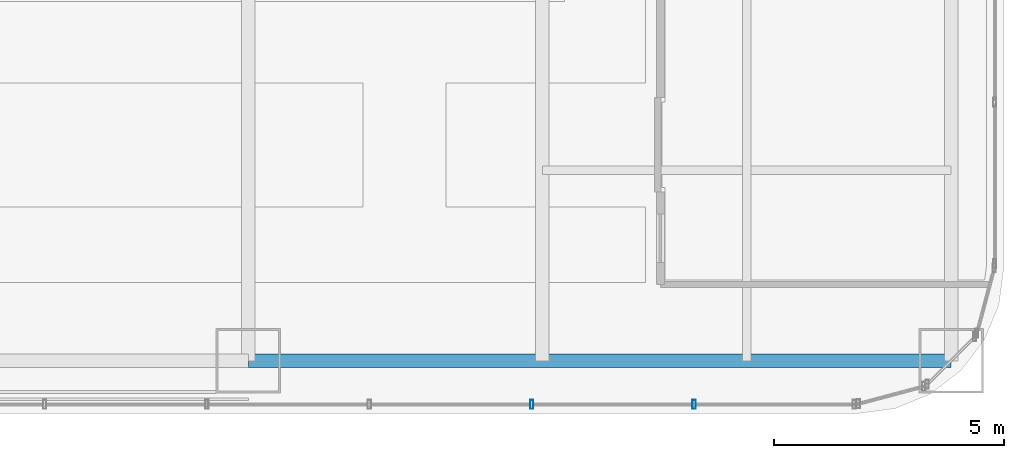
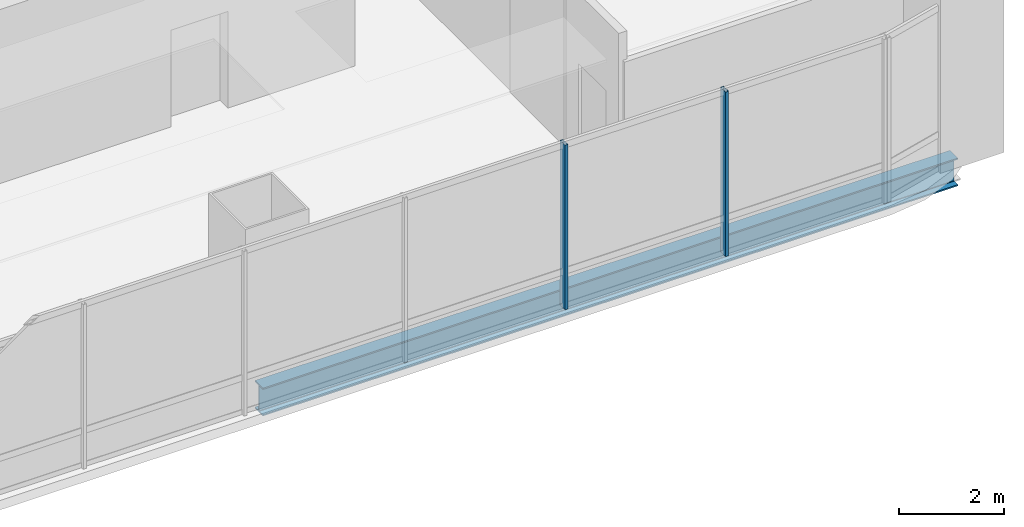
# One storey, part 14 of 38: 2 members, 1 beam, 1 element without a shape of its own.
"""IFC4 building model written with IfcOpenShell, lengths in metres."""

from ifc_helpers import new_model, si_unit, direction, frame, origin, origin_2d, place, context, subcontext, project, spatial, hollow_rectangle, i_section, extrude, material, material_profile, profile_set, type_object, element, aggregate, save


model = new_model("IFC4")

# Units and contexts
model_context = context("Model", 3, precision=1e-05, world=origin(), true_north=direction((0.0, 1.0)))
body_context = subcontext(model_context, "Body", "Model", "MODEL_VIEW")
ifc_project = project(units=[si_unit("LENGTHUNIT", "METRE"), si_unit("AREAUNIT", "SQUARE_METRE"), si_unit("VOLUMEUNIT", "CUBIC_METRE"), si_unit("PLANEANGLEUNIT", "RADIAN"), si_unit("MASSUNIT", "GRAM", prefix="KILO")], contexts=[model_context])

# Site, building, storey
site_placement = place(None, origin())
site = spatial("IfcSite", under=ifc_project, at=site_placement, CompositionType="ELEMENT")
building_placement = place(site_placement, origin())
building = spatial("IfcBuilding", under=site, at=building_placement, Name="Punatoya Terracotta Tower", CompositionType="ELEMENT")
storey_placement = place(building_placement, frame((0.0, 0.0, 143.85009765625)))
storey = spatial("IfcBuildingStorey", under=building, at=storey_placement, Name="L33", CompositionType="ELEMENT", Elevation=143.85009765625)

# Beam
ifc_material_1 = material(Name="Steel S355", Category="steel")
ifc_material_profile_1 = material_profile(ifc_material_1, i_section(OverallWidth=0.300048828125, OverallDepth=0.64990234375, WebThickness=0.01611328125, FlangeThickness=0.031005859375, FilletRadius=0.01806640625, at=origin_2d()))
ifc_profile_set_1 = profile_set([ifc_material_profile_1], Name="Steel S355")
beam_type = type_object("IfcBeamType", Name="BM-PRI-650", PredefinedType="BEAM", material=ifc_profile_set_1)
beam_placement = place(storey_placement, frame((3.800048828125, -17.5, -0.545166015625), z_axis=(1.0, 0.0, 0.0), x_axis=(0.0, 1.0, 0.0)))
element("IfcBeam", 1, at=beam_placement, inside=storey, type_object=beam_type, Name="BM-L33-RG-S3", PredefinedType="BEAM", context=body_context, shape_type="SweptSolid", body=[
    extrude(i_section(OverallWidth=0.300048828125, OverallDepth=0.64990234375, WebThickness=0.01611328125, FlangeThickness=0.031005859375, FilletRadius=0.01806640625, at=origin_2d()), origin(), (0.0, 0.0, 1.0), 15.300048828125),
])

# Curtain wall, members
ifc_material_2 = material(Name="Aluminium 6063-T6 + Double Low-E Glass", Category="aluminium")
curtain_wall_type = type_object("IfcCurtainWallType", Name="CW-M2", PredefinedType="NOTDEFINED", material=ifc_material_2)
curtain_wall_placement = place(storey_placement, origin())
curtain_wall = element("IfcCurtainWall", 2, at=curtain_wall_placement, inside=storey, type_object=curtain_wall_type, Name="L33 Curtain Wall CW-L33-S01-1", PredefinedType="NOTDEFINED")
ifc_material_3 = material(Name="Aluminium 6063-T6", Category="aluminium")
ifc_material_profile_2 = material_profile(ifc_material_3, hollow_rectangle(XDim=0.072021484375, YDim=0.195068359375, WallThickness=0.00439453125, at=origin_2d()))
ifc_profile_set_2 = profile_set([ifc_material_profile_2], Name="Aluminium 6063-T6")
member_type = type_object("IfcMemberType", Name="CW-MUL-M2", PredefinedType="MULLION", material=ifc_profile_set_2)
member_1_placement = place(storey_placement, frame((9.968994140625, -18.449951171875, 0.0), z_axis=(0.0, 0.0, 1.0), x_axis=(1.0, 0.0, 0.0)))
member_1 = element("IfcMember", 3, at=member_1_placement, type_object=member_type, Name="CW-L33-S01-1 Mullion 09", PredefinedType="MULLION", context=body_context, shape_type="SweptSolid", body=[
    extrude(hollow_rectangle(XDim=0.072021484375, YDim=0.195068359375, WallThickness=0.00439453125, at=origin_2d()), origin(), (0.0, 0.0, 1.0), 3.829833984375),
])
member_2_placement = place(storey_placement, frame((13.5029296875, -18.449951171875, 0.0), z_axis=(0.0, 0.0, 1.0), x_axis=(1.0, 0.0, 0.0)))
member_2 = element("IfcMember", 4, at=member_2_placement, type_object=member_type, Name="CW-L33-S01-1 Mullion 10", PredefinedType="MULLION", context=body_context, shape_type="SweptSolid", body=[
    extrude(hollow_rectangle(XDim=0.072021484375, YDim=0.195068359375, WallThickness=0.00439453125, at=origin_2d()), origin(), (0.0, 0.0, 1.0), 3.829833984375),
])
aggregate(curtain_wall, [member_1, member_2])

save(model, "model.ifc")
